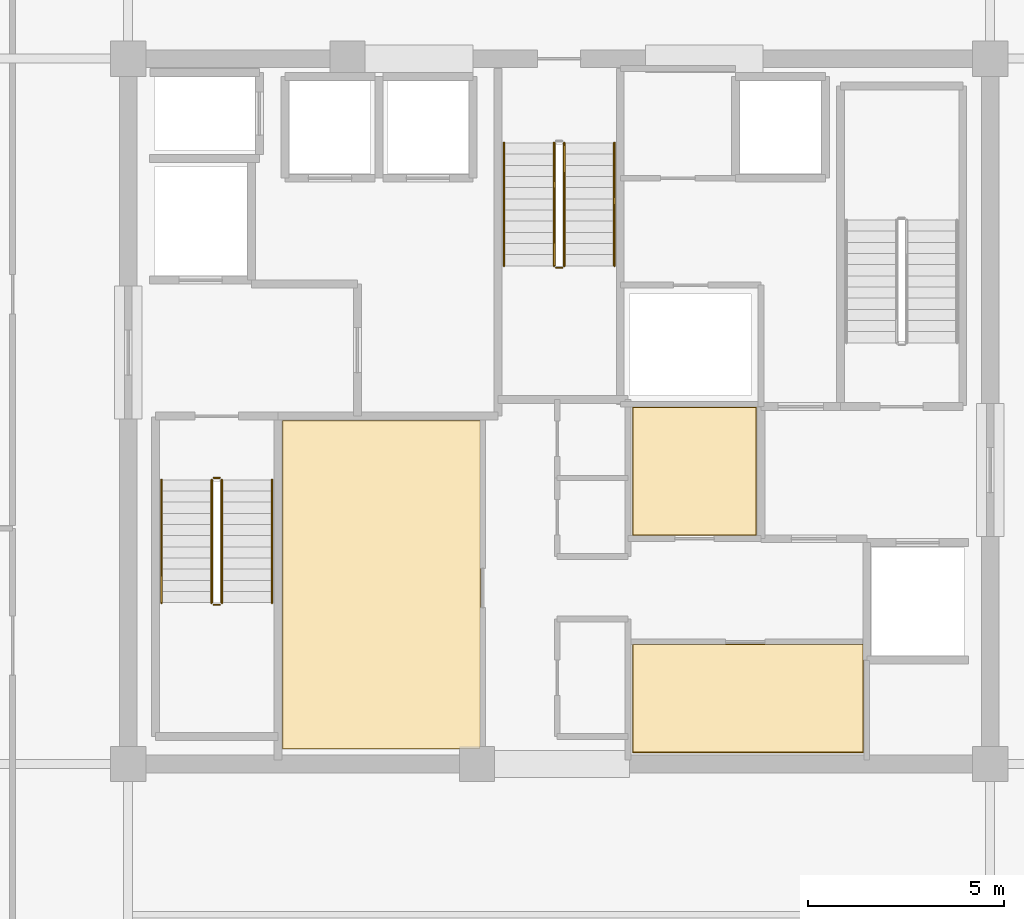
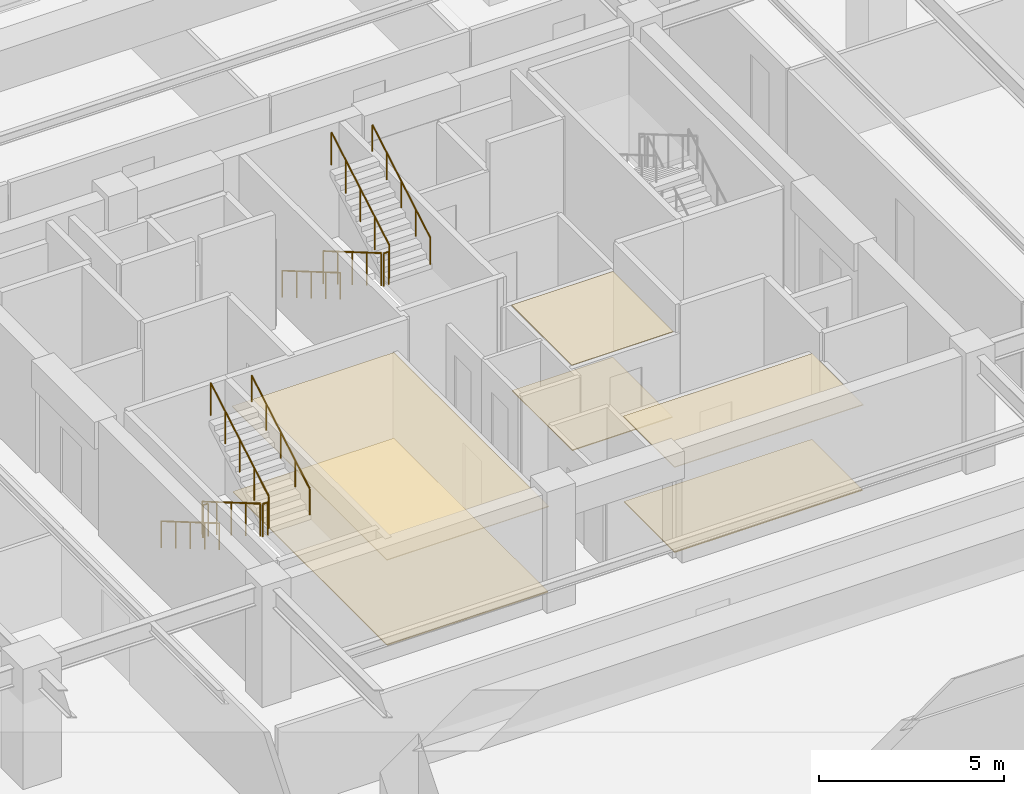
# One storey, part 18 of 21: 11 railings, 6 coverings.
"""IFC4 building model written with IfcOpenShell, lengths in metres."""

from ifc_helpers import new_model, si_unit, direction, frame, origin, origin_2d, place, context, subcontext, project, spatial, polyline, circle, outline, extrude, material, layer, layer_set, type_object, element, save


model = new_model("IFC4")

# Units and contexts
model_context = context("Model", 3, precision=1e-05, world=origin(), true_north=direction((0.0, 1.0)))
body_context = subcontext(model_context, "Body", "Model", "MODEL_VIEW")
ifc_project = project(units=[si_unit("LENGTHUNIT", "METRE"), si_unit("AREAUNIT", "SQUARE_METRE"), si_unit("VOLUMEUNIT", "CUBIC_METRE"), si_unit("PLANEANGLEUNIT", "RADIAN"), si_unit("MASSUNIT", "GRAM", prefix="KILO")], contexts=[model_context])

# Site, building, storey
site_placement = place(None, origin())
site = spatial("IfcSite", under=ifc_project, at=site_placement, CompositionType="ELEMENT")
building_placement = place(site_placement, origin())
building = spatial("IfcBuilding", under=site, at=building_placement, Name="Kovane Verandah Tower", CompositionType="ELEMENT")
storey_placement = place(building_placement, frame((0.0, 0.0, 263.199951171875)))
storey = spatial("IfcBuildingStorey", under=building, at=storey_placement, Name="L61", CompositionType="ELEMENT", Elevation=263.199951171875)

# Coverings
ifc_material_1 = material(Name="Perforated Acoustic Mineral-Fibre Ceiling Tile", Category="gypsum")
ifc_layer_1 = layer(ifc_material_1, 0.02490234375)
ifc_layer_set_1 = layer_set([ifc_layer_1], Name="Perforated Acoustic Mineral-Fibre Ceiling Tile")
covering_type_1 = type_object("IfcCoveringType", Name="CV-CEIL-25", PredefinedType="CEILING", material=ifc_layer_set_1)
covering_1_placement = place(storey_placement, frame((0.0, 0.0, 2.824951171875)))
element("IfcCovering", 1, at=covering_1_placement, inside=storey, type_object=covering_type_1, Name="L61 Tenant Wellness and Archive Suite Acoustic Ceiling", PredefinedType="CEILING", context=body_context, shape_type="SweptSolid", body=[
    extrude(outline(polyline([(32.93505859375, 18.885009765625), (37.9951171875, 18.885009765625), (37.9951171875, 27.264892578125), (32.93505859375, 27.264892578125), (32.93505859375, 18.885009765625)])), origin(), (0.0, 0.0, 1.0), 0.025146484375),
])
covering_2_placement = place(storey_placement, frame((0.0, 0.0, 2.824951171875)))
element("IfcCovering", 2, at=covering_2_placement, inside=storey, type_object=covering_type_1, Name="L61 Records Vault Room Acoustic Ceiling", PredefinedType="CEILING", context=body_context, shape_type="SweptSolid", body=[
    extrude(outline(polyline([(41.864990234375, 18.784912109375), (47.764892578125, 18.784912109375), (47.764892578125, 21.56494140625), (41.864990234375, 21.56494140625), (41.864990234375, 18.784912109375)])), origin(), (0.0, 0.0, 1.0), 0.025146484375),
])
covering_3_placement = place(storey_placement, frame((0.0, 0.0, 2.824951171875)))
element("IfcCovering", 3, at=covering_3_placement, inside=storey, type_object=covering_type_1, Name="L61 Document Archive Room Acoustic Ceiling", PredefinedType="CEILING", context=body_context, shape_type="SweptSolid", body=[
    extrude(outline(polyline([(41.864990234375, 24.3349609375), (45.034912109375, 24.3349609375), (45.034912109375, 27.614990234375), (41.864990234375, 27.614990234375), (41.864990234375, 24.3349609375)])), origin(), (0.0, 0.0, 1.0), 0.025146484375),
])
ifc_material_2 = material(Name="Polished Terrazzo and Raised-Access Carpet Tile Finish", Category="concrete")
ifc_layer_2 = layer(ifc_material_2, 0.030029296875)
ifc_layer_set_2 = layer_set([ifc_layer_2], Name="Polished Terrazzo and Raised-Access Carpet Tile Finish")
covering_type_2 = type_object("IfcCoveringType", Name="CV-FLOR-30", PredefinedType="FLOORING", material=ifc_layer_set_2)
covering_4_placement = place(storey_placement, origin())
element("IfcCovering", 4, at=covering_4_placement, inside=storey, type_object=covering_type_2, Name="L61 Tenant Wellness and Archive Suite Floor Finish", PredefinedType="FLOORING", context=body_context, shape_type="SweptSolid", body=[
    extrude(outline(polyline([(32.949951171875, 18.89990234375), (37.97998046875, 18.89990234375), (37.97998046875, 27.25), (32.949951171875, 27.25), (32.949951171875, 18.89990234375)])), origin(), (0.0, 0.0, 1.0), 0.030029296875),
])
covering_5_placement = place(storey_placement, origin())
element("IfcCovering", 5, at=covering_5_placement, inside=storey, type_object=covering_type_2, Name="L61 Records Vault Room Floor Finish", PredefinedType="FLOORING", context=body_context, shape_type="SweptSolid", body=[
    extrude(outline(polyline([(41.8798828125, 18.800048828125), (47.75, 18.800048828125), (47.75, 21.550048828125), (41.8798828125, 21.550048828125), (41.8798828125, 18.800048828125)])), origin(), (0.0, 0.0, 1.0), 0.030029296875),
])
covering_6_placement = place(storey_placement, origin())
element("IfcCovering", 6, at=covering_6_placement, inside=storey, type_object=covering_type_2, Name="L61 Document Archive Room Floor Finish", PredefinedType="FLOORING", context=body_context, shape_type="SweptSolid", body=[
    extrude(outline(polyline([(41.8798828125, 24.35009765625), (45.02001953125, 24.35009765625), (45.02001953125, 27.60009765625), (41.8798828125, 27.60009765625), (41.8798828125, 24.35009765625)])), origin(), (0.0, 0.0, 1.0), 0.030029296875),
])

# Railings
ifc_material_3 = material(Name="Brushed Stainless Steel Handrail", Category="steel")
railing_type_1 = type_object("IfcRailingType", Name="RL-HAND-920", PredefinedType="HANDRAIL", material=ifc_material_3)
railing_1_placement = place(storey_placement, frame((29.85009765625, 25.75, 0.166748046875)))
element("IfcRailing", 7, at=railing_1_placement, inside=storey, type_object=railing_type_1, Name="L61 ST-01 stair handrail 1", PredefinedType="HANDRAIL", context=body_context, shape_type="SweptSolid", body=[
    extrude(circle(Radius=0.02392578125, at=origin_2d()), frame((0.0, 0.0, 0.8759765625), z_axis=(0.0, -0.863239559939, 0.504794475164), x_axis=(1.0, 0.0, 0.0)), (0.0, 0.0, 1.0), 3.631591796875),
    extrude(circle(Radius=0.02099609375, at=origin_2d()), origin(), (0.0, 0.0, 1.0), 0.851806640625),
    extrude(circle(Radius=0.02099609375, at=origin_2d()), frame((0.0, -0.78369140625, 0.458251953125)), (0.0, 0.0, 1.0), 0.851806640625),
    extrude(circle(Radius=0.02099609375, at=origin_2d()), frame((0.0, -1.5673828125, 0.91650390625)), (0.0, 0.0, 1.0), 0.851806640625),
    extrude(circle(Radius=0.02099609375, at=origin_2d()), frame((0.0, -2.351318359375, 1.375)), (0.0, 0.0, 1.0), 0.851806640625),
    extrude(circle(Radius=0.02099609375, at=origin_2d()), frame((0.0, -3.135009765625, 1.833251953125)), (0.0, 0.0, 1.0), 0.851806640625),
])
railing_2_placement = place(storey_placement, frame((32.669921875, 22.614990234375, 2.166748046875)))
element("IfcRailing", 8, at=railing_2_placement, inside=storey, type_object=railing_type_1, Name="L61 ST-01 stair handrail 2", PredefinedType="HANDRAIL", context=body_context, shape_type="SweptSolid", body=[
    extrude(circle(Radius=0.02392578125, at=origin_2d()), frame((0.0, 0.0, 0.8759765625), z_axis=(0.0, 0.863239559939, 0.504794475164), x_axis=(-1.0, 0.0, 0.0)), (0.0, 0.0, 1.0), 3.631591796875),
    extrude(circle(Radius=0.02099609375, at=origin_2d()), origin(), (0.0, 0.0, 1.0), 0.851806640625),
    extrude(circle(Radius=0.02099609375, at=origin_2d()), frame((0.0, 0.78369140625, 0.458251953125)), (0.0, 0.0, 1.0), 0.851806640625),
    extrude(circle(Radius=0.02099609375, at=origin_2d()), frame((0.0, 1.5673828125, 0.91650390625)), (0.0, 0.0, 1.0), 0.851806640625),
    extrude(circle(Radius=0.02099609375, at=origin_2d()), frame((0.0, 2.351318359375, 1.375)), (0.0, 0.0, 1.0), 0.851806640625),
    extrude(circle(Radius=0.02099609375, at=origin_2d()), frame((0.0, 3.135009765625, 1.833251953125)), (0.0, 0.0, 1.0), 0.851806640625),
])
railing_3_placement = place(storey_placement, frame((38.590087890625, 34.35009765625, 0.166748046875)))
element("IfcRailing", 9, at=railing_3_placement, inside=storey, type_object=railing_type_1, Name="L61 ST-03 stair handrail 1", PredefinedType="HANDRAIL", context=body_context, shape_type="SweptSolid", body=[
    extrude(circle(Radius=0.02392578125, at=origin_2d()), frame((0.0, 0.0, 0.8759765625), z_axis=(0.0, -0.863239559939, 0.504794475164), x_axis=(1.0, 0.0, 0.0)), (0.0, 0.0, 1.0), 3.631591796875),
    extrude(circle(Radius=0.02099609375, at=origin_2d()), origin(), (0.0, 0.0, 1.0), 0.851806640625),
    extrude(circle(Radius=0.02099609375, at=origin_2d()), frame((0.0, -0.78369140625, 0.458251953125)), (0.0, 0.0, 1.0), 0.851806640625),
    extrude(circle(Radius=0.02099609375, at=origin_2d()), frame((0.0, -1.5673828125, 0.91650390625)), (0.0, 0.0, 1.0), 0.851806640625),
    extrude(circle(Radius=0.02099609375, at=origin_2d()), frame((0.0, -2.351318359375, 1.375)), (0.0, 0.0, 1.0), 0.851806640625),
    extrude(circle(Radius=0.02099609375, at=origin_2d()), frame((0.0, -3.135009765625, 1.833251953125)), (0.0, 0.0, 1.0), 0.851806640625),
])
railing_4_placement = place(storey_placement, frame((41.409912109375, 31.215087890625, 2.166748046875)))
element("IfcRailing", 10, at=railing_4_placement, inside=storey, type_object=railing_type_1, Name="L61 ST-03 stair handrail 2", PredefinedType="HANDRAIL", context=body_context, shape_type="SweptSolid", body=[
    extrude(circle(Radius=0.02392578125, at=origin_2d()), frame((0.0, 0.0, 0.8759765625), z_axis=(0.0, 0.863239559939, 0.504794475164), x_axis=(-1.0, 0.0, 0.0)), (0.0, 0.0, 1.0), 3.631591796875),
    extrude(circle(Radius=0.02099609375, at=origin_2d()), origin(), (0.0, 0.0, 1.0), 0.851806640625),
    extrude(circle(Radius=0.02099609375, at=origin_2d()), frame((0.0, 0.78369140625, 0.458251953125)), (0.0, 0.0, 1.0), 0.851806640625),
    extrude(circle(Radius=0.02099609375, at=origin_2d()), frame((0.0, 1.5673828125, 0.91650390625)), (0.0, 0.0, 1.0), 0.851806640625),
    extrude(circle(Radius=0.02099609375, at=origin_2d()), frame((0.0, 2.351318359375, 1.375)), (0.0, 0.0, 1.0), 0.851806640625),
    extrude(circle(Radius=0.02099609375, at=origin_2d()), frame((0.0, 3.135009765625, 1.833251953125)), (0.0, 0.0, 1.0), 0.851806640625),
])
ifc_material_4 = material(Name="Painted Steel Stairwell Guardrail", Category="steel")
railing_type_2 = type_object("IfcRailingType", Name="RL-STGUARD-1120", PredefinedType="GUARDRAIL", material=ifc_material_4)
railing_5_placement = place(storey_placement, frame((31.1298828125, 25.75, 0.166748046875)))
element("IfcRailing", 11, at=railing_5_placement, inside=storey, type_object=railing_type_2, Name="L61 ST-01 stair guard 1", PredefinedType="GUARDRAIL", context=body_context, shape_type="SweptSolid", body=[
    extrude(circle(Radius=0.02392578125, at=origin_2d()), frame((0.0, 0.0, 1.076171875), z_axis=(0.0, -0.863239559939, 0.504794475164), x_axis=(1.0, 0.0, 0.0)), (0.0, 0.0, 1.0), 3.631591796875),
    extrude(circle(Radius=0.02099609375, at=origin_2d()), origin(), (0.0, 0.0, 1.0), 1.052001953125),
    extrude(circle(Radius=0.02099609375, at=origin_2d()), frame((0.0, -0.78369140625, 0.458251953125)), (0.0, 0.0, 1.0), 1.052001953125),
    extrude(circle(Radius=0.02099609375, at=origin_2d()), frame((0.0, -1.5673828125, 0.91650390625)), (0.0, 0.0, 1.0), 1.052001953125),
    extrude(circle(Radius=0.02099609375, at=origin_2d()), frame((0.0, -2.351318359375, 1.375)), (0.0, 0.0, 1.0), 1.052001953125),
    extrude(circle(Radius=0.02099609375, at=origin_2d()), frame((0.0, -3.135009765625, 1.833251953125)), (0.0, 0.0, 1.0), 1.052001953125),
])
railing_6_placement = place(storey_placement, frame((31.179931640625, 22.56494140625, 2.0)))
element("IfcRailing", 12, at=railing_6_placement, inside=storey, type_object=railing_type_2, Name="L61 ST-01 stair guard 2", PredefinedType="GUARDRAIL", context=body_context, shape_type="SweptSolid", body=[
    extrude(circle(Radius=0.02392578125, at=origin_2d()), frame((0.0, 0.0, 1.076171875), z_axis=(1.0, 0.0, 0.0), x_axis=(0.0, 1.0, 0.0)), (0.0, 0.0, 1.0), 0.16015625),
    extrude(circle(Radius=0.02099609375, at=origin_2d()), origin(), (0.0, 0.0, 1.0), 1.052001953125),
    extrude(circle(Radius=0.02099609375, at=origin_2d()), frame((0.16015625, 0.0, 0.0)), (0.0, 0.0, 1.0), 1.052001953125),
])
railing_7_placement = place(storey_placement, frame((31.389892578125, 22.614990234375, 2.166748046875)))
element("IfcRailing", 13, at=railing_7_placement, inside=storey, type_object=railing_type_2, Name="L61 ST-01 stair guard 3", PredefinedType="GUARDRAIL", context=body_context, shape_type="SweptSolid", body=[
    extrude(circle(Radius=0.02392578125, at=origin_2d()), frame((0.0, 0.0, 1.076171875), z_axis=(0.0, 0.863239559939, 0.504794475164), x_axis=(-1.0, 0.0, 0.0)), (0.0, 0.0, 1.0), 3.631591796875),
    extrude(circle(Radius=0.02099609375, at=origin_2d()), origin(), (0.0, 0.0, 1.0), 1.052001953125),
    extrude(circle(Radius=0.02099609375, at=origin_2d()), frame((0.0, 0.78369140625, 0.458251953125)), (0.0, 0.0, 1.0), 1.052001953125),
    extrude(circle(Radius=0.02099609375, at=origin_2d()), frame((0.0, 1.5673828125, 0.91650390625)), (0.0, 0.0, 1.0), 1.052001953125),
    extrude(circle(Radius=0.02099609375, at=origin_2d()), frame((0.0, 2.351318359375, 1.375)), (0.0, 0.0, 1.0), 1.052001953125),
    extrude(circle(Radius=0.02099609375, at=origin_2d()), frame((0.0, 3.135009765625, 1.833251953125)), (0.0, 0.0, 1.0), 1.052001953125),
])
railing_8_placement = place(storey_placement, frame((31.179931640625, 25.800048828125, 0.0)))
element("IfcRailing", 14, at=railing_8_placement, inside=storey, type_object=railing_type_2, Name="L61 ST-01 stair guard 4", PredefinedType="GUARDRAIL", context=body_context, shape_type="SweptSolid", body=[
    extrude(circle(Radius=0.02392578125, at=origin_2d()), frame((0.0, 0.0, 1.076171875), z_axis=(1.0, 0.0, 0.0), x_axis=(0.0, 1.0, 0.0)), (0.0, 0.0, 1.0), 0.16015625),
    extrude(circle(Radius=0.02099609375, at=origin_2d()), origin(), (0.0, 0.0, 1.0), 1.052001953125),
    extrude(circle(Radius=0.02099609375, at=origin_2d()), frame((0.16015625, 0.0, 0.0)), (0.0, 0.0, 1.0), 1.052001953125),
])
railing_9_placement = place(storey_placement, frame((39.8701171875, 34.35009765625, 0.166748046875)))
element("IfcRailing", 15, at=railing_9_placement, inside=storey, type_object=railing_type_2, Name="L61 ST-03 stair guard 1", PredefinedType="GUARDRAIL", context=body_context, shape_type="SweptSolid", body=[
    extrude(circle(Radius=0.02392578125, at=origin_2d()), frame((0.0, 0.0, 1.076171875), z_axis=(0.0, -0.863239559939, 0.504794475164), x_axis=(1.0, 0.0, 0.0)), (0.0, 0.0, 1.0), 3.631591796875),
    extrude(circle(Radius=0.02099609375, at=origin_2d()), origin(), (0.0, 0.0, 1.0), 1.052001953125),
    extrude(circle(Radius=0.02099609375, at=origin_2d()), frame((0.0, -0.78369140625, 0.458251953125)), (0.0, 0.0, 1.0), 1.052001953125),
    extrude(circle(Radius=0.02099609375, at=origin_2d()), frame((0.0, -1.5673828125, 0.91650390625)), (0.0, 0.0, 1.0), 1.052001953125),
    extrude(circle(Radius=0.02099609375, at=origin_2d()), frame((0.0, -2.351318359375, 1.375)), (0.0, 0.0, 1.0), 1.052001953125),
    extrude(circle(Radius=0.02099609375, at=origin_2d()), frame((0.0, -3.135009765625, 1.833251953125)), (0.0, 0.0, 1.0), 1.052001953125),
])
railing_10_placement = place(storey_placement, frame((39.919921875, 31.1650390625, 2.0)))
element("IfcRailing", 16, at=railing_10_placement, inside=storey, type_object=railing_type_2, Name="L61 ST-03 stair guard 2", PredefinedType="GUARDRAIL", context=body_context, shape_type="SweptSolid", body=[
    extrude(circle(Radius=0.02392578125, at=origin_2d()), frame((0.0, 0.0, 1.076171875), z_axis=(1.0, 0.0, 0.0), x_axis=(0.0, 1.0, 0.0)), (0.0, 0.0, 1.0), 0.16015625),
    extrude(circle(Radius=0.02099609375, at=origin_2d()), origin(), (0.0, 0.0, 1.0), 1.052001953125),
    extrude(circle(Radius=0.02099609375, at=origin_2d()), frame((0.16015625, 0.0, 0.0)), (0.0, 0.0, 1.0), 1.052001953125),
])
railing_11_placement = place(storey_placement, frame((40.1298828125, 31.215087890625, 2.166748046875)))
element("IfcRailing", 17, at=railing_11_placement, inside=storey, type_object=railing_type_2, Name="L61 ST-03 stair guard 3", PredefinedType="GUARDRAIL", context=body_context, shape_type="SweptSolid", body=[
    extrude(circle(Radius=0.02392578125, at=origin_2d()), frame((0.0, 0.0, 1.076171875), z_axis=(0.0, 0.863239559939, 0.504794475164), x_axis=(-1.0, 0.0, 0.0)), (0.0, 0.0, 1.0), 3.631591796875),
    extrude(circle(Radius=0.02099609375, at=origin_2d()), origin(), (0.0, 0.0, 1.0), 1.052001953125),
    extrude(circle(Radius=0.02099609375, at=origin_2d()), frame((0.0, 0.78369140625, 0.458251953125)), (0.0, 0.0, 1.0), 1.052001953125),
    extrude(circle(Radius=0.02099609375, at=origin_2d()), frame((0.0, 1.5673828125, 0.91650390625)), (0.0, 0.0, 1.0), 1.052001953125),
    extrude(circle(Radius=0.02099609375, at=origin_2d()), frame((0.0, 2.351318359375, 1.375)), (0.0, 0.0, 1.0), 1.052001953125),
    extrude(circle(Radius=0.02099609375, at=origin_2d()), frame((0.0, 3.135009765625, 1.833251953125)), (0.0, 0.0, 1.0), 1.052001953125),
])

save(model, "model.ifc")
